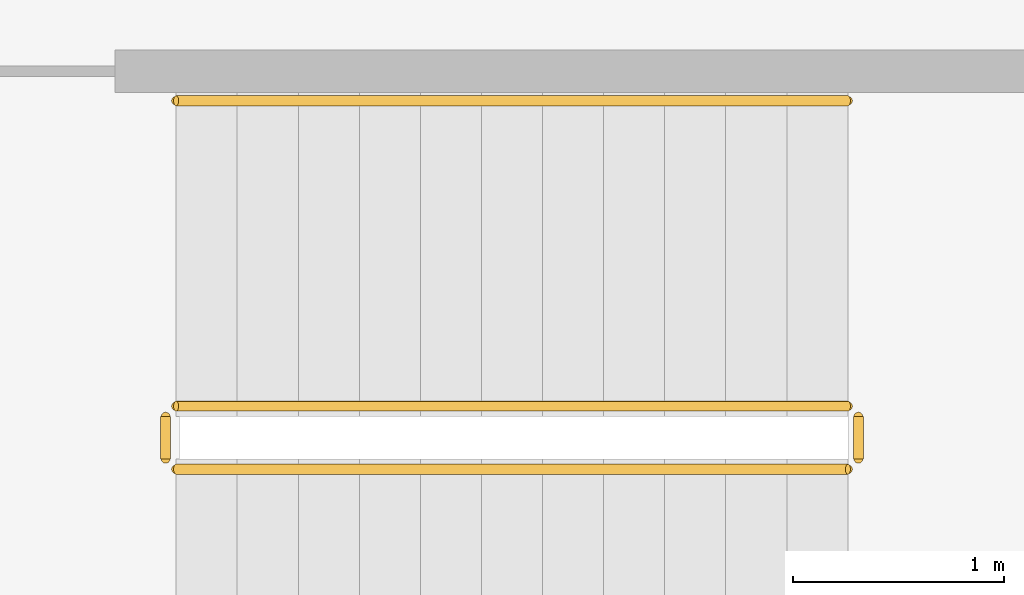
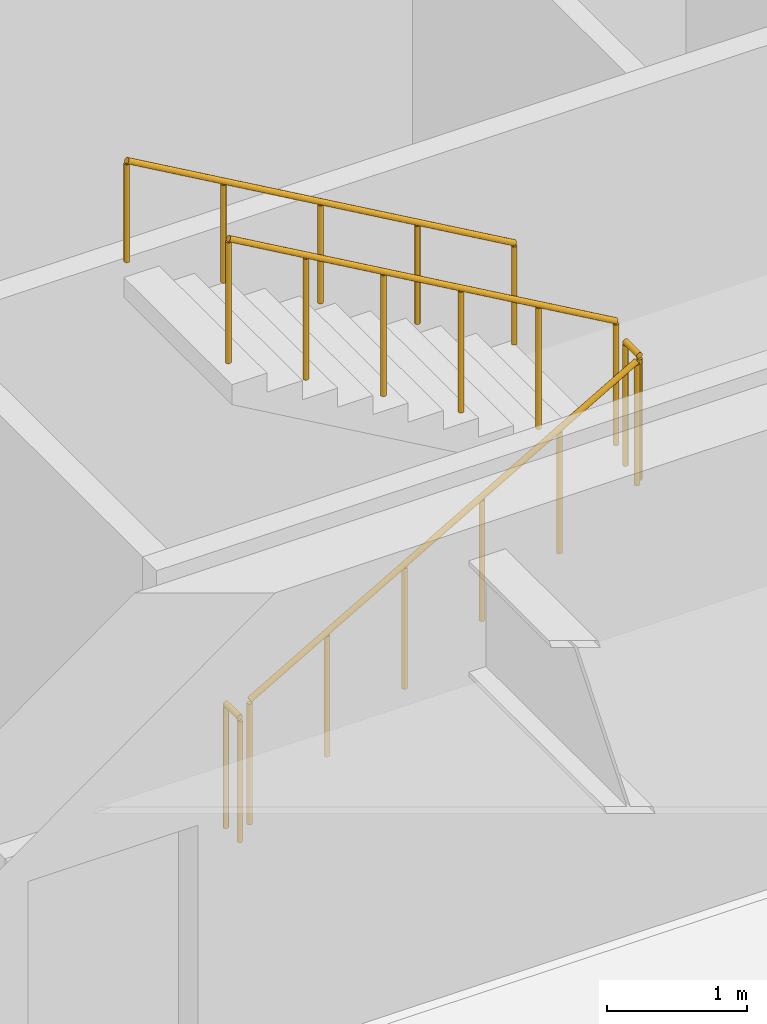
# One storey, part 19 of 20: 5 railings.
"""IFC4 building model written with IfcOpenShell, lengths in metres."""

import ifcopenshell
import ifcopenshell.guid

model = None  # the IFC model being written
_history = None  # IfcOwnerHistory: only IFC2X3 demands one
_inside = {}  # id of a spatial element -> (the spatial element, [elements in it])
_under = {}  # id of a project, library or spatial element -> (it, [spatial elements below it])
_declared = {}  # id of a project -> (the project, [libraries it declares])
_typed = {}  # id of a type object -> (the type object, [elements of that type])
_made_of = {}  # id of a material, layer set ... -> (it, [elements and type objects made of it])


def new_model(schema):
    """Start an empty IFC model of exactly this schema.

    Asked for "IFC4X3", IfcOpenShell would pick the latest addendum, in which some entities
    have other attributes; the version numbers below select the first issue.
    IFC2X3 requires an IfcOwnerHistory on every rooted entity: one is made here for all.
    """
    global model, _history
    if schema == "IFC4X3":
        model = ifcopenshell.file(schema_version=(4, 3, 0, 0))
    else:
        model = ifcopenshell.file(schema=schema)
    _inside.clear()
    _under.clear()
    _declared.clear()
    _typed.clear()
    _made_of.clear()
    _history = None
    if model.schema == "IFC2X3":
        org = make("IfcOrganization", Name="unknown")
        user = make(
            "IfcPersonAndOrganization",
            ThePerson=make("IfcPerson", FamilyName="unknown"),
            TheOrganization=org,
        )
        app = make(
            "IfcApplication",
            ApplicationDeveloper=org,
            Version="unknown",
            ApplicationFullName="unknown",
            ApplicationIdentifier="unknown",
        )
        _history = make(
            "IfcOwnerHistory",
            OwningUser=user,
            OwningApplication=app,
            ChangeAction="ADDED",
            CreationDate=0,
        )
    return model


def make(cls, **values):
    """One entity of the class cls with the attributes given. An attribute that is None is left unset."""
    return model.create_entity(
        cls, **{name: value for name, value in values.items() if value is not None}
    )


def rooted(cls, **values):
    """An entity with a GlobalId (a new one), such as an element, a storey or a relation."""
    return make(cls, GlobalId=ifcopenshell.guid.new(), OwnerHistory=_history, **values)


def si_unit(unit_type, name, prefix=None):
    """IfcSIUnit, for example si_unit("LENGTHUNIT", "METRE", prefix="MILLI")."""
    return make("IfcSIUnit", UnitType=unit_type, Prefix=prefix, Name=name)


def assignment(units):
    """IfcUnitAssignment: the units of a project."""
    return None if units is None else make("IfcUnitAssignment", Units=units)


def point(xyz):
    """IfcCartesianPoint."""
    return None if xyz is None else make("IfcCartesianPoint", Coordinates=xyz)


def direction(xyz):
    """IfcDirection."""
    return None if xyz is None else make("IfcDirection", DirectionRatios=xyz)


def frame(location, z_axis=None, x_axis=None):
    """IfcAxis2Placement3D, a coordinate frame: its origin and axes. An axis left out is left unset."""
    return make(
        "IfcAxis2Placement3D",
        Location=point(location),
        Axis=direction(z_axis),
        RefDirection=direction(x_axis),
    )


def frame_2d(location, x_axis=None):
    """IfcAxis2Placement2D, a coordinate frame in the plane: its origin and x axis."""
    return make(
        "IfcAxis2Placement2D", Location=point(location), RefDirection=direction(x_axis)
    )


def origin():
    """The frame at (0, 0, 0) with its axes left unset."""
    return frame((0.0, 0.0, 0.0))


def origin_2d():
    """The frame at (0, 0) in the plane with its x axis left unset."""
    return frame_2d((0.0, 0.0))


def place(relative_to, where):
    """IfcLocalPlacement: puts the frame where relative to a parent placement (None: the world)."""
    return make(
        "IfcLocalPlacement", PlacementRelTo=relative_to, RelativePlacement=where
    )


def context(
    kind, dimensions, precision=None, world=None, true_north=None, identifier=None
):
    """IfcGeometricRepresentationContext, for example the 3D "Model" context."""
    return make(
        "IfcGeometricRepresentationContext",
        ContextIdentifier=identifier,
        ContextType=kind,
        CoordinateSpaceDimension=dimensions,
        Precision=precision,
        WorldCoordinateSystem=world,
        TrueNorth=true_north,
    )


def subcontext(parent, identifier, kind, view, scale=None):
    """IfcGeometricRepresentationSubContext, for example "Body" below "Model"."""
    return make(
        "IfcGeometricRepresentationSubContext",
        ContextIdentifier=identifier,
        ContextType=kind,
        ParentContext=parent,
        TargetScale=scale,
        TargetView=view,
    )


def project(units=None, contexts=None):
    """IfcProject with its units and contexts."""
    return rooted(
        "IfcProject",
        Name="project",
        RepresentationContexts=contexts,
        UnitsInContext=assignment(units),
    )


def spatial(cls, under=None, at=None, **own):
    """A site, building, storey or space (cls), placed at a placement, below another one or the project."""
    s = rooted(cls, ObjectPlacement=at, **own)
    if under is not None:
        _under.setdefault(under.id(), (under, []))[1].append(s)
    return s


def profile(cls, at=None, kind="AREA", **sizes):
    """A parametric profile (cls). Its sizes go by their IFC names, for example OverallWidth=200.0."""
    return make(cls, ProfileType=kind, Position=at, **sizes)


def circle(**sizes):
    """IfcCircleProfileDef."""
    return profile("IfcCircleProfileDef", **sizes)


def extrude(swept, where, along, depth):
    """IfcExtrudedAreaSolid: the profile swept, set in the frame where, extruded along a direction by depth."""
    return make(
        "IfcExtrudedAreaSolid",
        SweptArea=swept,
        Position=where,
        ExtrudedDirection=direction(along),
        Depth=depth,
    )


def shape(context_of_items, identifier, shape_type, items):
    """IfcShapeRepresentation: the items that make up one representation, for example the "Body"."""
    return make(
        "IfcShapeRepresentation",
        ContextOfItems=context_of_items,
        RepresentationIdentifier=identifier,
        RepresentationType=shape_type,
        Items=items,
    )


def material(Name=None, Category=None):
    """IfcMaterial."""
    return make("IfcMaterial", Name=Name, Category=Category)


def made_of(thing, what):
    """Note that an element or type object is made of a material, layer set ...; save() writes the relation."""
    if what is not None:
        _made_of.setdefault(what.id(), (what, []))[1].append(thing)
    return thing


def type_object(cls, material=None, **own):
    """A type object (cls), such as IfcWallType, which elements share."""
    return made_of(rooted(cls, **own), material)


def element(
    cls,
    number,
    at=None,
    inside=None,
    cuts=None,
    type_object=None,
    material=None,
    context=None,
    identifier="Body",
    shape_type=None,
    held_by="IfcProductDefinitionShape",
    body=None,
    shapes=None,
    **own,
):
    """One element of the class cls, such as IfcWall. Its Tag is "e" and its number.

    at: its placement. inside: the storey or other place that contains it. cuts: it is an
    opening in that element (IfcRelVoidsElement). A single representation is given by context,
    identifier, shape_type and body (its items); several are given by shapes. held_by: the class
    of the entity that holds the representations. save() writes the other relations.
    """
    e = rooted(cls, Tag="e%d" % number, ObjectPlacement=at, **own)
    if body is not None:
        shapes = [shape(context, identifier, shape_type, body)]
    if shapes is not None:
        e.Representation = make(held_by, Representations=shapes)
    if inside is not None:
        _inside.setdefault(inside.id(), (inside, []))[1].append(e)
    if cuts is not None:
        rooted(
            "IfcRelVoidsElement", RelatingBuildingElement=cuts, RelatedOpeningElement=e
        )
    if type_object is not None:
        _typed.setdefault(type_object.id(), (type_object, []))[1].append(e)
    return made_of(e, material)


def aggregate(whole, parts):
    """IfcRelAggregates: a whole, such as a stair, and the parts it consists of."""
    return rooted("IfcRelAggregates", RelatingObject=whole, RelatedObjects=parts)


def save(model, path):
    """Write the relations noted so far, then the file.

    IfcRelAggregates (storeys below a building ...), IfcRelContainedInSpatialStructure (elements
    in a storey), IfcRelDefinesByType, IfcRelAssociatesMaterial and IfcRelDeclares: one each for
    every whole, place, type object, material and project.
    """
    for whole, parts in _under.values():
        aggregate(whole, parts)
    for where, things in _inside.values():
        rooted(
            "IfcRelContainedInSpatialStructure",
            RelatedElements=things,
            RelatingStructure=where,
        )
    for kind, things in _typed.values():
        rooted("IfcRelDefinesByType", RelatedObjects=things, RelatingType=kind)
    for what, things in _made_of.values():
        rooted("IfcRelAssociatesMaterial", RelatedObjects=things, RelatingMaterial=what)
    for by, libraries in _declared.values():
        rooted("IfcRelDeclares", RelatingContext=by, RelatedDefinitions=libraries)
    model.write(path)


model = new_model("IFC4")

# Units and contexts
model_context = context("Model", 3, precision=1e-05, world=origin(), true_north=direction((0.0, 1.0)))
body_context = subcontext(model_context, "Body", "Model", "MODEL_VIEW")
ifc_project = project(units=[si_unit("LENGTHUNIT", "METRE"), si_unit("AREAUNIT", "SQUARE_METRE"), si_unit("VOLUMEUNIT", "CUBIC_METRE"), si_unit("PLANEANGLEUNIT", "RADIAN"), si_unit("MASSUNIT", "GRAM", prefix="KILO")], contexts=[model_context])

# Site, building, storey
site_placement = place(None, origin())
site = spatial("IfcSite", under=ifc_project, at=site_placement, CompositionType="ELEMENT")
building_placement = place(site_placement, origin())
building = spatial("IfcBuilding", under=site, at=building_placement, Name="Putna Gate Headquarters", CompositionType="ELEMENT")
storey_placement = place(building_placement, frame((0.0, 0.0, 306.39990234375)))
storey = spatial("IfcBuildingStorey", under=building, at=storey_placement, Name="L77", CompositionType="ELEMENT", Elevation=306.39990234375)

# Railings
ifc_material_1 = material(Name="Powder-coated steel stair guardrail", Category="steel")
railing_type_1 = type_object("IfcRailingType", Name="RAIL-STAIR-GUARD-1100", PredefinedType="GUARDRAIL", material=ifc_material_1)
railing_1_placement = place(storey_placement, frame((57.89990234375, 21.10009765625, 0.166748046875)))
element("IfcRailing", 1, at=railing_1_placement, inside=storey, type_object=railing_type_1, Name="L77 ST2 stair guard 1", PredefinedType="GUARDRAIL", context=body_context, shape_type="SweptSolid", body=[
    extrude(circle(Radius=0.02392578125, at=origin_2d()), frame((0.0, 0.0, 1.076171875), z_axis=(0.8670360191, 0.0, 0.498245463184), x_axis=(0.0, 1.0, 0.0)), (0.0, 0.0, 1.0), 3.679443359375),
    extrude(circle(Radius=0.02099609375, at=origin_2d()), origin(), (0.0, 0.0, 1.0), 1.052001953125),
    extrude(circle(Radius=0.02099609375, at=origin_2d()), frame((0.637939453125, 0.0, 0.36669921875)), (0.0, 0.0, 1.0), 1.052001953125),
    extrude(circle(Radius=0.02099609375, at=origin_2d()), frame((1.276123046875, 0.0, 0.7333984375)), (0.0, 0.0, 1.0), 1.052001953125),
    extrude(circle(Radius=0.02099609375, at=origin_2d()), frame((1.9140625, 0.0, 1.099853515625)), (0.0, 0.0, 1.0), 1.052001953125),
    extrude(circle(Radius=0.02099609375, at=origin_2d()), frame((2.55224609375, 0.0, 1.466552734375)), (0.0, 0.0, 1.0), 1.052001953125),
    extrude(circle(Radius=0.02099609375, at=origin_2d()), frame((3.190185546875, 0.0, 1.833251953125)), (0.0, 0.0, 1.0), 1.052001953125),
])
railing_2_placement = place(storey_placement, frame((61.139892578125, 21.14990234375, 2.0)))
element("IfcRailing", 2, at=railing_2_placement, inside=storey, type_object=railing_type_1, Name="L77 ST2 stair guard 2", PredefinedType="GUARDRAIL", context=body_context, shape_type="SweptSolid", body=[
    extrude(circle(Radius=0.02392578125, at=origin_2d()), frame((0.0, 0.0, 1.076171875), z_axis=(0.0, 1.0, 0.0), x_axis=(-1.0, 0.0, 0.0)), (0.0, 0.0, 1.0), 0.2001953125),
    extrude(circle(Radius=0.02099609375, at=origin_2d()), origin(), (0.0, 0.0, 1.0), 1.052001953125),
    extrude(circle(Radius=0.02099609375, at=origin_2d()), frame((0.0, 0.2001953125, 0.0)), (0.0, 0.0, 1.0), 1.052001953125),
])
railing_3_placement = place(storey_placement, frame((61.090087890625, 21.39990234375, 2.166748046875)))
element("IfcRailing", 3, at=railing_3_placement, inside=storey, type_object=railing_type_1, Name="L77 ST2 stair guard 3", PredefinedType="GUARDRAIL", context=body_context, shape_type="SweptSolid", body=[
    extrude(circle(Radius=0.02392578125, at=origin_2d()), frame((0.0, 0.0, 1.076171875), z_axis=(-0.8670360191, 0.0, 0.498245463184), x_axis=(0.0, -1.0, 0.0)), (0.0, 0.0, 1.0), 3.679443359375),
    extrude(circle(Radius=0.02099609375, at=origin_2d()), origin(), (0.0, 0.0, 1.0), 1.052001953125),
    extrude(circle(Radius=0.02099609375, at=origin_2d()), frame((-0.637939453125, 0.0, 0.36669921875)), (0.0, 0.0, 1.0), 1.052001953125),
    extrude(circle(Radius=0.02099609375, at=origin_2d()), frame((-1.276123046875, 0.0, 0.7333984375)), (0.0, 0.0, 1.0), 1.052001953125),
    extrude(circle(Radius=0.02099609375, at=origin_2d()), frame((-1.9140625, 0.0, 1.099853515625)), (0.0, 0.0, 1.0), 1.052001953125),
    extrude(circle(Radius=0.02099609375, at=origin_2d()), frame((-2.55224609375, 0.0, 1.466552734375)), (0.0, 0.0, 1.0), 1.052001953125),
    extrude(circle(Radius=0.02099609375, at=origin_2d()), frame((-3.190185546875, 0.0, 1.833251953125)), (0.0, 0.0, 1.0), 1.052001953125),
])
railing_4_placement = place(storey_placement, frame((57.85009765625, 21.14990234375, 0.0)))
element("IfcRailing", 4, at=railing_4_placement, inside=storey, type_object=railing_type_1, Name="L77 ST2 stair guard 4", PredefinedType="GUARDRAIL", context=body_context, shape_type="SweptSolid", body=[
    extrude(circle(Radius=0.02392578125, at=origin_2d()), frame((0.0, 0.0, 1.076171875), z_axis=(0.0, 1.0, 0.0), x_axis=(-1.0, 0.0, 0.0)), (0.0, 0.0, 1.0), 0.2001953125),
    extrude(circle(Radius=0.02099609375, at=origin_2d()), origin(), (0.0, 0.0, 1.0), 1.052001953125),
    extrude(circle(Radius=0.02099609375, at=origin_2d()), frame((0.0, 0.2001953125, 0.0)), (0.0, 0.0, 1.0), 1.052001953125),
])
ifc_material_2 = material(Name="Brushed stainless steel handrail", Category="steel")
railing_type_2 = type_object("IfcRailingType", Name="RAIL-STAIR-HAND-900", PredefinedType="HANDRAIL", material=ifc_material_2)
railing_5_placement = place(storey_placement, frame((61.090087890625, 22.85009765625, 2.166748046875)))
element("IfcRailing", 5, at=railing_5_placement, inside=storey, type_object=railing_type_2, Name="L77 ST2 stair handrail 2", PredefinedType="HANDRAIL", context=body_context, shape_type="SweptSolid", body=[
    extrude(circle(Radius=0.02392578125, at=origin_2d()), frame((0.0, 0.0, 0.8759765625), z_axis=(-0.8670360191, 0.0, 0.498245463184), x_axis=(0.0, -1.0, 0.0)), (0.0, 0.0, 1.0), 3.679443359375),
    extrude(circle(Radius=0.02099609375, at=origin_2d()), origin(), (0.0, 0.0, 1.0), 0.851806640625),
    extrude(circle(Radius=0.02099609375, at=origin_2d()), frame((-0.797607421875, 0.0, 0.458251953125)), (0.0, 0.0, 1.0), 0.851806640625),
    extrude(circle(Radius=0.02099609375, at=origin_2d()), frame((-1.59521484375, 0.0, 0.91650390625)), (0.0, 0.0, 1.0), 0.851806640625),
    extrude(circle(Radius=0.02099609375, at=origin_2d()), frame((-2.392578125, 0.0, 1.375)), (0.0, 0.0, 1.0), 0.851806640625),
    extrude(circle(Radius=0.02099609375, at=origin_2d()), frame((-3.190185546875, 0.0, 1.833251953125)), (0.0, 0.0, 1.0), 0.851806640625),
])

save(model, "model.ifc")
